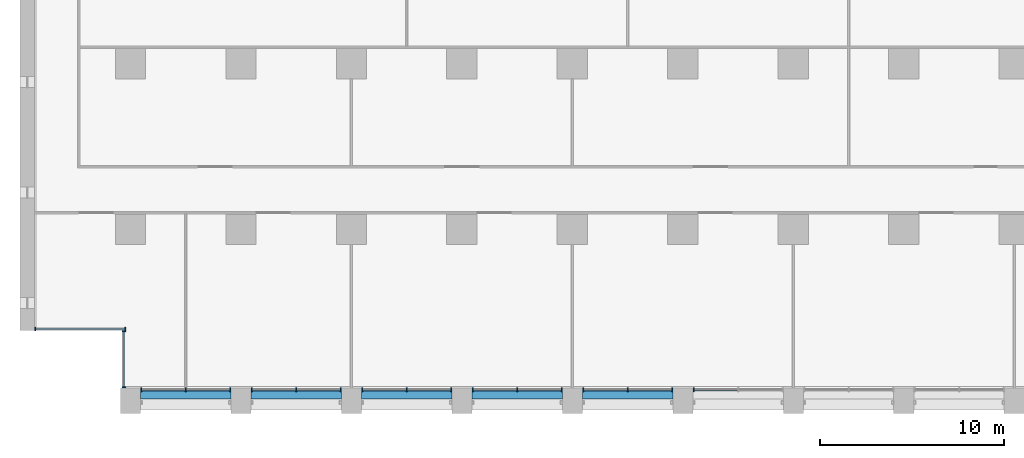
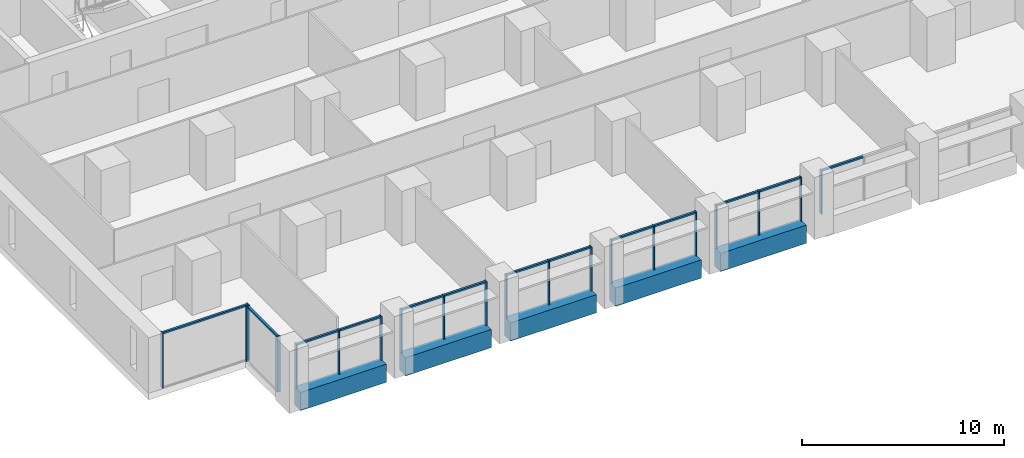
# One storey, part 2 of 18: 33 members, 5 beams, 8 elements without a shape of their own.
"""IFC4 building model written with IfcOpenShell, lengths in metres."""

from ifc_helpers import new_model, si_unit, direction, frame, origin, origin_2d, place, context, subcontext, project, spatial, rectangle, extrude, material, material_profile, profile_set, type_object, element, aggregate, save


model = new_model("IFC4")

# Units and contexts
model_context = context("Model", 3, precision=1e-05, world=origin(), true_north=direction((0.0, 1.0)))
body_context = subcontext(model_context, "Body", "Model", "MODEL_VIEW")
ifc_project = project(units=[si_unit("LENGTHUNIT", "METRE"), si_unit("AREAUNIT", "SQUARE_METRE"), si_unit("VOLUMEUNIT", "CUBIC_METRE"), si_unit("PLANEANGLEUNIT", "RADIAN"), si_unit("MASSUNIT", "GRAM", prefix="KILO")], contexts=[model_context])

# Site, building, storey
site_placement = place(None, origin())
site = spatial("IfcSite", under=ifc_project, at=site_placement, CompositionType="ELEMENT")
building_placement = place(site_placement, origin())
building = spatial("IfcBuilding", under=site, at=building_placement, Name="Calvaro Tower", CompositionType="ELEMENT")
storey_placement = place(building_placement, frame((0.0, 0.0, 56.25)))
storey = spatial("IfcBuildingStorey", under=building, at=storey_placement, Name="L13", CompositionType="ELEMENT", Elevation=56.25)

# Curtain wall, members
ifc_material_1 = material(Name="Anodised aluminium", Category="aluminium")
curtain_wall_type = type_object("IfcCurtainWallType", Name="Office curtain wall, lower zone", PredefinedType="NOTDEFINED", material=ifc_material_1)
curtain_wall_1_placement = place(storey_placement, origin())
curtain_wall_1 = element("IfcCurtainWall", 1, at=curtain_wall_1_placement, inside=storey, type_object=curtain_wall_type, Name="CW1 south curtain wall", PredefinedType="NOTDEFINED")
ifc_material_2 = material(Name="Anodised aluminium", Category="aluminium")
ifc_material_profile_1 = material_profile(ifc_material_2, rectangle(XDim=0.199951171875, YDim=0.06005859375, at=origin_2d()), Name="Mullion S1 60 x 200")
ifc_profile_set_1 = profile_set([ifc_material_profile_1], Name="Anodised aluminium")
member_type_1 = type_object("IfcMemberType", Name="Mullion S1 60 x 200", PredefinedType="MULLION", material=ifc_profile_set_1)
member_1_placement = place(storey_placement, frame((6.580078125, 1.300048828125, 0.0), z_axis=(0.0, 0.0, 1.0), x_axis=(0.0, 1.0, 0.0)))
member_1 = element("IfcMember", 2, at=member_1_placement, type_object=member_type_1, Name="CW1 mullion 1", PredefinedType="MULLION", context=body_context, shape_type="SweptSolid", body=[
    extrude(rectangle(XDim=0.199951171875, YDim=0.06005859375, at=origin_2d()), origin(), (0.0, 0.0, 1.0), 2.64990234375),
])
member_2_placement = place(storey_placement, frame((9.0, 1.300048828125, 0.0), z_axis=(0.0, 0.0, 1.0), x_axis=(0.0, 1.0, 0.0)))
member_2 = element("IfcMember", 3, at=member_2_placement, type_object=member_type_1, Name="CW1 mullion 2", PredefinedType="MULLION", context=body_context, shape_type="SweptSolid", body=[
    extrude(rectangle(XDim=0.199951171875, YDim=0.06005859375, at=origin_2d()), origin(), (0.0, 0.0, 1.0), 2.64990234375),
])
member_3_placement = place(storey_placement, frame((11.419921875, 1.300048828125, 0.0), z_axis=(0.0, 0.0, 1.0), x_axis=(0.0, 1.0, 0.0)))
member_3 = element("IfcMember", 4, at=member_3_placement, type_object=member_type_1, Name="CW1 mullion 3", PredefinedType="MULLION", context=body_context, shape_type="SweptSolid", body=[
    extrude(rectangle(XDim=0.199951171875, YDim=0.06005859375, at=origin_2d()), origin(), (0.0, 0.0, 1.0), 2.64990234375),
])

curtain_wall_2_placement = place(storey_placement, origin())
curtain_wall_2 = element("IfcCurtainWall", 5, at=curtain_wall_2_placement, inside=storey, type_object=curtain_wall_type, Name="CW1 south curtain wall", PredefinedType="NOTDEFINED")
member_4_placement = place(storey_placement, frame((12.580078125, 1.300048828125, 0.0), z_axis=(0.0, 0.0, 1.0), x_axis=(0.0, 1.0, 0.0)))
member_4 = element("IfcMember", 6, at=member_4_placement, type_object=member_type_1, Name="CW1 mullion 1", PredefinedType="MULLION", context=body_context, shape_type="SweptSolid", body=[
    extrude(rectangle(XDim=0.199951171875, YDim=0.06005859375, at=origin_2d()), origin(), (0.0, 0.0, 1.0), 2.64990234375),
])
member_5_placement = place(storey_placement, frame((15.0, 1.300048828125, 0.0), z_axis=(0.0, 0.0, 1.0), x_axis=(0.0, 1.0, 0.0)))
member_5 = element("IfcMember", 7, at=member_5_placement, type_object=member_type_1, Name="CW1 mullion 2", PredefinedType="MULLION", context=body_context, shape_type="SweptSolid", body=[
    extrude(rectangle(XDim=0.199951171875, YDim=0.06005859375, at=origin_2d()), origin(), (0.0, 0.0, 1.0), 2.64990234375),
])
member_6_placement = place(storey_placement, frame((17.419921875, 1.300048828125, 0.0), z_axis=(0.0, 0.0, 1.0), x_axis=(0.0, 1.0, 0.0)))
member_6 = element("IfcMember", 8, at=member_6_placement, type_object=member_type_1, Name="CW1 mullion 3", PredefinedType="MULLION", context=body_context, shape_type="SweptSolid", body=[
    extrude(rectangle(XDim=0.199951171875, YDim=0.06005859375, at=origin_2d()), origin(), (0.0, 0.0, 1.0), 2.64990234375),
])

curtain_wall_3_placement = place(storey_placement, origin())
curtain_wall_3 = element("IfcCurtainWall", 9, at=curtain_wall_3_placement, inside=storey, type_object=curtain_wall_type, Name="CW1 south curtain wall", PredefinedType="NOTDEFINED")
member_7_placement = place(storey_placement, frame((18.580078125, 1.300048828125, 0.0), z_axis=(0.0, 0.0, 1.0), x_axis=(0.0, 1.0, 0.0)))
member_7 = element("IfcMember", 10, at=member_7_placement, type_object=member_type_1, Name="CW1 mullion 1", PredefinedType="MULLION", context=body_context, shape_type="SweptSolid", body=[
    extrude(rectangle(XDim=0.199951171875, YDim=0.06005859375, at=origin_2d()), origin(), (0.0, 0.0, 1.0), 2.64990234375),
])
member_8_placement = place(storey_placement, frame((21.0, 1.300048828125, 0.0), z_axis=(0.0, 0.0, 1.0), x_axis=(0.0, 1.0, 0.0)))
member_8 = element("IfcMember", 11, at=member_8_placement, type_object=member_type_1, Name="CW1 mullion 2", PredefinedType="MULLION", context=body_context, shape_type="SweptSolid", body=[
    extrude(rectangle(XDim=0.199951171875, YDim=0.06005859375, at=origin_2d()), origin(), (0.0, 0.0, 1.0), 2.64990234375),
])
member_9_placement = place(storey_placement, frame((23.419921875, 1.300048828125, 0.0), z_axis=(0.0, 0.0, 1.0), x_axis=(0.0, 1.0, 0.0)))
member_9 = element("IfcMember", 12, at=member_9_placement, type_object=member_type_1, Name="CW1 mullion 3", PredefinedType="MULLION", context=body_context, shape_type="SweptSolid", body=[
    extrude(rectangle(XDim=0.199951171875, YDim=0.06005859375, at=origin_2d()), origin(), (0.0, 0.0, 1.0), 2.64990234375),
])

curtain_wall_4_placement = place(storey_placement, origin())
curtain_wall_4 = element("IfcCurtainWall", 13, at=curtain_wall_4_placement, inside=storey, type_object=curtain_wall_type, Name="CW1 south curtain wall", PredefinedType="NOTDEFINED")
member_10_placement = place(storey_placement, frame((24.580078125, 1.300048828125, 0.0), z_axis=(0.0, 0.0, 1.0), x_axis=(0.0, 1.0, 0.0)))
member_10 = element("IfcMember", 14, at=member_10_placement, type_object=member_type_1, Name="CW1 mullion 1", PredefinedType="MULLION", context=body_context, shape_type="SweptSolid", body=[
    extrude(rectangle(XDim=0.199951171875, YDim=0.06005859375, at=origin_2d()), origin(), (0.0, 0.0, 1.0), 2.64990234375),
])
member_11_placement = place(storey_placement, frame((27.0, 1.300048828125, 0.0), z_axis=(0.0, 0.0, 1.0), x_axis=(0.0, 1.0, 0.0)))
member_11 = element("IfcMember", 15, at=member_11_placement, type_object=member_type_1, Name="CW1 mullion 2", PredefinedType="MULLION", context=body_context, shape_type="SweptSolid", body=[
    extrude(rectangle(XDim=0.199951171875, YDim=0.06005859375, at=origin_2d()), origin(), (0.0, 0.0, 1.0), 2.64990234375),
])
member_12_placement = place(storey_placement, frame((29.419921875, 1.300048828125, 0.0), z_axis=(0.0, 0.0, 1.0), x_axis=(0.0, 1.0, 0.0)))
member_12 = element("IfcMember", 16, at=member_12_placement, type_object=member_type_1, Name="CW1 mullion 3", PredefinedType="MULLION", context=body_context, shape_type="SweptSolid", body=[
    extrude(rectangle(XDim=0.199951171875, YDim=0.06005859375, at=origin_2d()), origin(), (0.0, 0.0, 1.0), 2.64990234375),
])

curtain_wall_5_placement = place(storey_placement, origin())
curtain_wall_5 = element("IfcCurtainWall", 17, at=curtain_wall_5_placement, inside=storey, type_object=curtain_wall_type, Name="CW1 south curtain wall", PredefinedType="NOTDEFINED")
member_13_placement = place(storey_placement, frame((30.580078125, 1.300048828125, 0.0), z_axis=(0.0, 0.0, 1.0), x_axis=(0.0, 1.0, 0.0)))
member_13 = element("IfcMember", 18, at=member_13_placement, type_object=member_type_1, Name="CW1 mullion 1", PredefinedType="MULLION", context=body_context, shape_type="SweptSolid", body=[
    extrude(rectangle(XDim=0.199951171875, YDim=0.06005859375, at=origin_2d()), origin(), (0.0, 0.0, 1.0), 2.64990234375),
])
member_14_placement = place(storey_placement, frame((33.0, 1.300048828125, 0.0), z_axis=(0.0, 0.0, 1.0), x_axis=(0.0, 1.0, 0.0)))
member_14 = element("IfcMember", 19, at=member_14_placement, type_object=member_type_1, Name="CW1 mullion 2", PredefinedType="MULLION", context=body_context, shape_type="SweptSolid", body=[
    extrude(rectangle(XDim=0.199951171875, YDim=0.06005859375, at=origin_2d()), origin(), (0.0, 0.0, 1.0), 2.64990234375),
])
member_15_placement = place(storey_placement, frame((35.419921875, 1.300048828125, 0.0), z_axis=(0.0, 0.0, 1.0), x_axis=(0.0, 1.0, 0.0)))
member_15 = element("IfcMember", 20, at=member_15_placement, type_object=member_type_1, Name="CW1 mullion 3", PredefinedType="MULLION", context=body_context, shape_type="SweptSolid", body=[
    extrude(rectangle(XDim=0.199951171875, YDim=0.06005859375, at=origin_2d()), origin(), (0.0, 0.0, 1.0), 2.64990234375),
])

# Curtain wall, member
curtain_wall_6_placement = place(storey_placement, origin())
curtain_wall_6 = element("IfcCurtainWall", 21, at=curtain_wall_6_placement, inside=storey, type_object=curtain_wall_type, Name="CW1 south curtain wall", PredefinedType="NOTDEFINED")
member_16_placement = place(storey_placement, frame((36.580078125, 1.300048828125, 0.0), z_axis=(0.0, 0.0, 1.0), x_axis=(0.0, 1.0, 0.0)))
member_16 = element("IfcMember", 22, at=member_16_placement, type_object=member_type_1, Name="CW1 mullion 1", PredefinedType="MULLION", context=body_context, shape_type="SweptSolid", body=[
    extrude(rectangle(XDim=0.199951171875, YDim=0.06005859375, at=origin_2d()), origin(), (0.0, 0.0, 1.0), 2.64990234375),
])

# Curtain wall, members
curtain_wall_7_placement = place(storey_placement, origin())
curtain_wall_7 = element("IfcCurtainWall", 23, at=curtain_wall_7_placement, inside=storey, type_object=curtain_wall_type, Name="CW1 corner curtain wall", PredefinedType="NOTDEFINED")
member_17_placement = place(storey_placement, frame((5.64990234375, 1.429931640625, 0.0), z_axis=(0.0, 0.0, 1.0), x_axis=(-1.0, 0.0, 0.0)))
member_17 = element("IfcMember", 24, at=member_17_placement, type_object=member_type_1, Name="CW1 mullion 1", PredefinedType="MULLION", context=body_context, shape_type="SweptSolid", body=[
    extrude(rectangle(XDim=0.199951171875, YDim=0.06005859375, at=origin_2d()), origin(), (0.0, 0.0, 1.0), 3.35009765625),
])
member_18_placement = place(storey_placement, frame((5.64990234375, 4.469970703125, 0.0), z_axis=(0.0, 0.0, 1.0), x_axis=(-1.0, 0.0, 0.0)))
member_18 = element("IfcMember", 25, at=member_18_placement, type_object=member_type_1, Name="CW1 mullion 2", PredefinedType="MULLION", context=body_context, shape_type="SweptSolid", body=[
    extrude(rectangle(XDim=0.199951171875, YDim=0.06005859375, at=origin_2d()), origin(), (0.0, 0.0, 1.0), 3.35009765625),
])

curtain_wall_8_placement = place(storey_placement, origin())
curtain_wall_8 = element("IfcCurtainWall", 26, at=curtain_wall_8_placement, inside=storey, type_object=curtain_wall_type, Name="CW1 corner curtain wall", PredefinedType="NOTDEFINED")
member_19_placement = place(storey_placement, frame((0.830078125, 4.60009765625, 0.0), z_axis=(0.0, 0.0, 1.0), x_axis=(0.0, 1.0, 0.0)))
member_19 = element("IfcMember", 27, at=member_19_placement, type_object=member_type_1, Name="CW1 mullion 1", PredefinedType="MULLION", context=body_context, shape_type="SweptSolid", body=[
    extrude(rectangle(XDim=0.199951171875, YDim=0.06005859375, at=origin_2d()), origin(), (0.0, 0.0, 1.0), 3.35009765625),
])
member_20_placement = place(storey_placement, frame((5.719970703125, 4.60009765625, 0.0), z_axis=(0.0, 0.0, 1.0), x_axis=(0.0, 1.0, 0.0)))
member_20 = element("IfcMember", 28, at=member_20_placement, type_object=member_type_1, Name="CW1 mullion 2", PredefinedType="MULLION", context=body_context, shape_type="SweptSolid", body=[
    extrude(rectangle(XDim=0.199951171875, YDim=0.06005859375, at=origin_2d()), origin(), (0.0, 0.0, 1.0), 3.35009765625),
])

# Beams
ifc_material_3 = material(Name="Concrete C50/60 precast", Category="concrete")
ifc_material_profile_2 = material_profile(ifc_material_3, rectangle(XDim=0.60009765625, YDim=1.10009765625, at=origin_2d()), Name="RC 600x1100")
ifc_profile_set_2 = profile_set([ifc_material_profile_2], Name="Concrete C50/60 precast")
beam_type = type_object("IfcBeamType", Name="Spandrel beam 600x1100 C50/60", PredefinedType="SPANDREL", material=ifc_profile_set_2)
for number, where, z_axis, x_axis, name in (
    (29, (6.550048828125, 1.10009765625, -0.550048828125), (1.0, 0.0, 0.0), (0.0, 1.0, 0.0), "Spandrel beam"),
    (30, (12.550048828125, 1.10009765625, -0.550048828125), (1.0, 0.0, 0.0), (0.0, 1.0, 0.0), "Spandrel beam"),
    (31, (18.550048828125, 1.10009765625, -0.550048828125), (1.0, 0.0, 0.0), (0.0, 1.0, 0.0), "Spandrel beam"),
    (32, (24.550048828125, 1.10009765625, -0.550048828125), (1.0, 0.0, 0.0), (0.0, 1.0, 0.0), "Spandrel beam"),
    (33, (30.550048828125, 1.10009765625, -0.550048828125), (1.0, 0.0, 0.0), (0.0, 1.0, 0.0), "Spandrel beam"),
):
    element("IfcBeam", number, at=place(storey_placement, frame(where, z_axis=z_axis, x_axis=x_axis)), inside=storey, type_object=beam_type, Name=name, PredefinedType="SPANDREL", context=body_context, shape_type="SweptSolid", body=[
        extrude(rectangle(XDim=0.60009765625, YDim=1.10009765625, at=origin_2d()), origin(), (0.0, 0.0, 1.0), 4.89990234375),
    ])

# Member
ifc_material_4 = material(Name="Anodised aluminium", Category="aluminium")
ifc_material_profile_3 = material_profile(ifc_material_4, rectangle(XDim=0.1201171875, YDim=0.10009765625, at=origin_2d()), Name="Transom S1 100 x 120")
ifc_profile_set_3 = profile_set([ifc_material_profile_3], Name="Anodised aluminium")
member_type_2 = type_object("IfcMemberType", Name="Transom S1 100 x 120", PredefinedType="USERDEFINED", material=ifc_profile_set_3)
member_21_placement = place(storey_placement, frame((6.610107421875, 1.300048828125, 2.60009765625), z_axis=(1.0, 0.0, 0.0), x_axis=(0.0, 1.0, 0.0)))
member_21 = element("IfcMember", 34, at=member_21_placement, type_object=member_type_2, Name="CW1 transom 1.1", ObjectType="TRANSOM", PredefinedType="USERDEFINED", context=body_context, shape_type="SweptSolid", body=[
    extrude(rectangle(XDim=0.1201171875, YDim=0.10009765625, at=origin_2d()), origin(), (0.0, 0.0, 1.0), 2.35986328125),
])

member_22_placement = place(storey_placement, frame((9.030029296875, 1.300048828125, 2.60009765625), z_axis=(1.0, 0.0, 0.0), x_axis=(0.0, 1.0, 0.0)))
member_22 = element("IfcMember", 35, at=member_22_placement, type_object=member_type_2, Name="CW1 transom 2.1", ObjectType="TRANSOM", PredefinedType="USERDEFINED", context=body_context, shape_type="SweptSolid", body=[
    extrude(rectangle(XDim=0.1201171875, YDim=0.10009765625, at=origin_2d()), origin(), (0.0, 0.0, 1.0), 2.35986328125),
])

aggregate(curtain_wall_1, [member_1, member_2, member_3, member_21, member_22])

member_23_placement = place(storey_placement, frame((12.610107421875, 1.300048828125, 2.60009765625), z_axis=(1.0, 0.0, 0.0), x_axis=(0.0, 1.0, 0.0)))
member_23 = element("IfcMember", 36, at=member_23_placement, type_object=member_type_2, Name="CW1 transom 1.1", ObjectType="TRANSOM", PredefinedType="USERDEFINED", context=body_context, shape_type="SweptSolid", body=[
    extrude(rectangle(XDim=0.1201171875, YDim=0.10009765625, at=origin_2d()), origin(), (0.0, 0.0, 1.0), 2.35986328125),
])

member_24_placement = place(storey_placement, frame((15.030029296875, 1.300048828125, 2.60009765625), z_axis=(1.0, 0.0, 0.0), x_axis=(0.0, 1.0, 0.0)))
member_24 = element("IfcMember", 37, at=member_24_placement, type_object=member_type_2, Name="CW1 transom 2.1", ObjectType="TRANSOM", PredefinedType="USERDEFINED", context=body_context, shape_type="SweptSolid", body=[
    extrude(rectangle(XDim=0.1201171875, YDim=0.10009765625, at=origin_2d()), origin(), (0.0, 0.0, 1.0), 2.35986328125),
])

aggregate(curtain_wall_2, [member_4, member_5, member_6, member_23, member_24])

member_25_placement = place(storey_placement, frame((18.610107421875, 1.300048828125, 2.60009765625), z_axis=(1.0, 0.0, 0.0), x_axis=(0.0, 1.0, 0.0)))
member_25 = element("IfcMember", 38, at=member_25_placement, type_object=member_type_2, Name="CW1 transom 1.1", ObjectType="TRANSOM", PredefinedType="USERDEFINED", context=body_context, shape_type="SweptSolid", body=[
    extrude(rectangle(XDim=0.1201171875, YDim=0.10009765625, at=origin_2d()), origin(), (0.0, 0.0, 1.0), 2.35986328125),
])

member_26_placement = place(storey_placement, frame((21.030029296875, 1.300048828125, 2.60009765625), z_axis=(1.0, 0.0, 0.0), x_axis=(0.0, 1.0, 0.0)))
member_26 = element("IfcMember", 39, at=member_26_placement, type_object=member_type_2, Name="CW1 transom 2.1", ObjectType="TRANSOM", PredefinedType="USERDEFINED", context=body_context, shape_type="SweptSolid", body=[
    extrude(rectangle(XDim=0.1201171875, YDim=0.10009765625, at=origin_2d()), origin(), (0.0, 0.0, 1.0), 2.35986328125),
])

aggregate(curtain_wall_3, [member_7, member_8, member_9, member_25, member_26])

member_27_placement = place(storey_placement, frame((24.610107421875, 1.300048828125, 2.60009765625), z_axis=(1.0, 0.0, 0.0), x_axis=(0.0, 1.0, 0.0)))
member_27 = element("IfcMember", 40, at=member_27_placement, type_object=member_type_2, Name="CW1 transom 1.1", ObjectType="TRANSOM", PredefinedType="USERDEFINED", context=body_context, shape_type="SweptSolid", body=[
    extrude(rectangle(XDim=0.1201171875, YDim=0.10009765625, at=origin_2d()), origin(), (0.0, 0.0, 1.0), 2.35986328125),
])

member_28_placement = place(storey_placement, frame((27.030029296875, 1.300048828125, 2.60009765625), z_axis=(1.0, 0.0, 0.0), x_axis=(0.0, 1.0, 0.0)))
member_28 = element("IfcMember", 41, at=member_28_placement, type_object=member_type_2, Name="CW1 transom 2.1", ObjectType="TRANSOM", PredefinedType="USERDEFINED", context=body_context, shape_type="SweptSolid", body=[
    extrude(rectangle(XDim=0.1201171875, YDim=0.10009765625, at=origin_2d()), origin(), (0.0, 0.0, 1.0), 2.35986328125),
])

aggregate(curtain_wall_4, [member_10, member_11, member_12, member_27, member_28])

member_29_placement = place(storey_placement, frame((30.610107421875, 1.300048828125, 2.60009765625), z_axis=(1.0, 0.0, 0.0), x_axis=(0.0, 1.0, 0.0)))
member_29 = element("IfcMember", 42, at=member_29_placement, type_object=member_type_2, Name="CW1 transom 1.1", ObjectType="TRANSOM", PredefinedType="USERDEFINED", context=body_context, shape_type="SweptSolid", body=[
    extrude(rectangle(XDim=0.1201171875, YDim=0.10009765625, at=origin_2d()), origin(), (0.0, 0.0, 1.0), 2.35986328125),
])

member_30_placement = place(storey_placement, frame((33.030029296875, 1.300048828125, 2.60009765625), z_axis=(1.0, 0.0, 0.0), x_axis=(0.0, 1.0, 0.0)))
member_30 = element("IfcMember", 43, at=member_30_placement, type_object=member_type_2, Name="CW1 transom 2.1", ObjectType="TRANSOM", PredefinedType="USERDEFINED", context=body_context, shape_type="SweptSolid", body=[
    extrude(rectangle(XDim=0.1201171875, YDim=0.10009765625, at=origin_2d()), origin(), (0.0, 0.0, 1.0), 2.35986328125),
])

aggregate(curtain_wall_5, [member_13, member_14, member_15, member_29, member_30])

member_31_placement = place(storey_placement, frame((36.610107421875, 1.300048828125, 2.60009765625), z_axis=(1.0, 0.0, 0.0), x_axis=(0.0, 1.0, 0.0)))
member_31 = element("IfcMember", 44, at=member_31_placement, type_object=member_type_2, Name="CW1 transom 1.1", ObjectType="TRANSOM", PredefinedType="USERDEFINED", context=body_context, shape_type="SweptSolid", body=[
    extrude(rectangle(XDim=0.1201171875, YDim=0.10009765625, at=origin_2d()), origin(), (0.0, 0.0, 1.0), 2.35986328125),
])

aggregate(curtain_wall_6, [member_16, member_31])

member_32_placement = place(storey_placement, frame((5.64990234375, 1.4599609375, 3.300048828125), z_axis=(0.0, 1.0, 0.0), x_axis=(-1.0, 0.0, 0.0)))
member_32 = element("IfcMember", 45, at=member_32_placement, type_object=member_type_2, Name="CW1 transom 1.1", ObjectType="TRANSOM", PredefinedType="USERDEFINED", context=body_context, shape_type="SweptSolid", body=[
    extrude(rectangle(XDim=0.1201171875, YDim=0.10009765625, at=origin_2d()), origin(), (0.0, 0.0, 1.0), 2.97998046875),
])

aggregate(curtain_wall_7, [member_17, member_18, member_32])

member_33_placement = place(storey_placement, frame((0.860107421875, 4.60009765625, 3.300048828125), z_axis=(1.0, 0.0, 0.0), x_axis=(0.0, 1.0, 0.0)))
member_33 = element("IfcMember", 46, at=member_33_placement, type_object=member_type_2, Name="CW1 transom 1.1", ObjectType="TRANSOM", PredefinedType="USERDEFINED", context=body_context, shape_type="SweptSolid", body=[
    extrude(rectangle(XDim=0.1201171875, YDim=0.10009765625, at=origin_2d()), origin(), (0.0, 0.0, 1.0), 4.829833984375),
])

aggregate(curtain_wall_8, [member_19, member_20, member_33])

save(model, "model.ifc")
